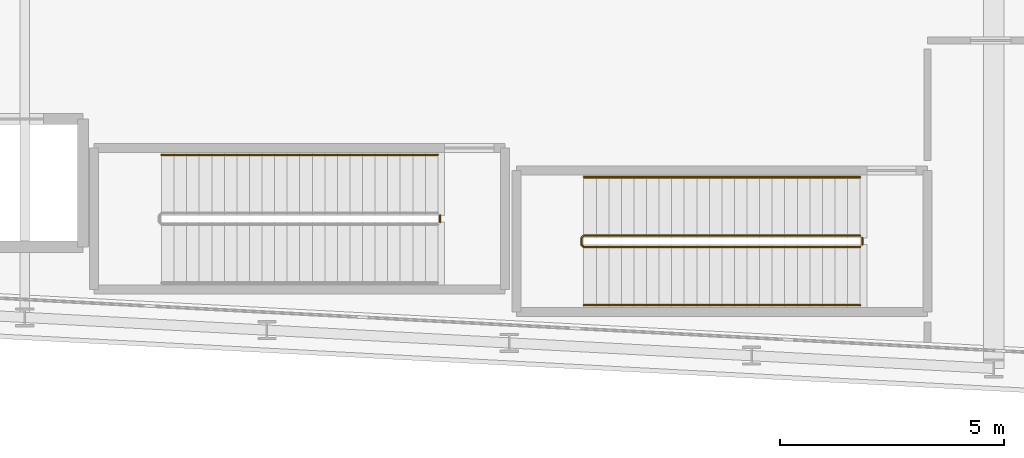
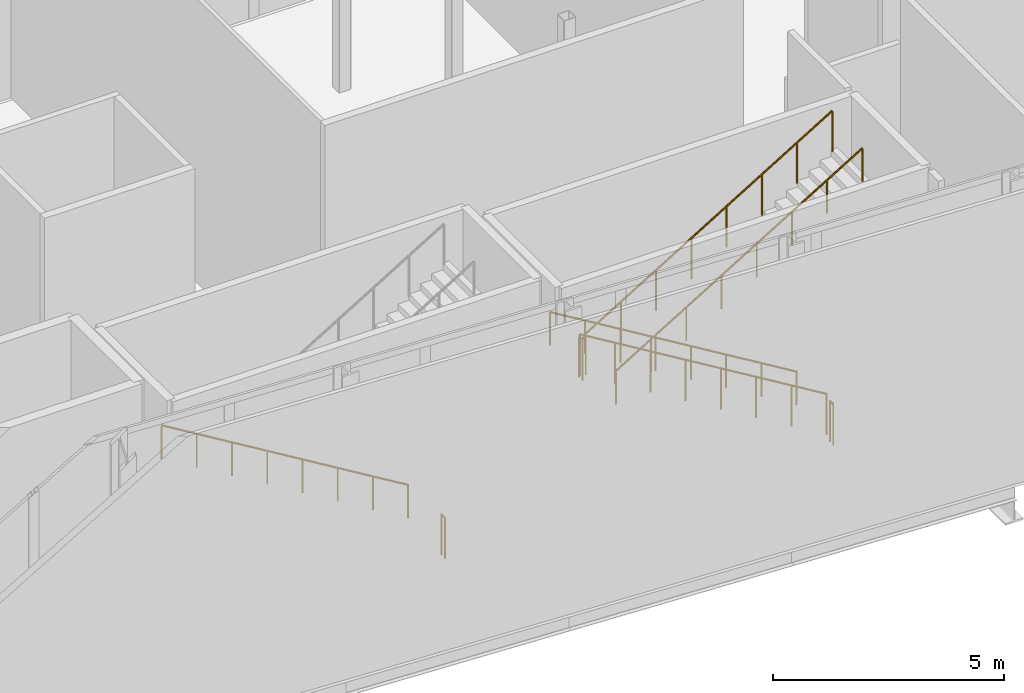
# One storey, part 34 of 37: 6 railings.
"""IFC4 building model written with IfcOpenShell, lengths in metres."""

from ifc_helpers import new_model, si_unit, direction, frame, origin, origin_2d, place, context, subcontext, project, spatial, circle, extrude, material, type_object, element, save


model = new_model("IFC4")

# Units and contexts
model_context = context("Model", 3, precision=1e-05, world=origin(), true_north=direction((0.0, 1.0)))
body_context = subcontext(model_context, "Body", "Model", "MODEL_VIEW")
ifc_project = project(units=[si_unit("LENGTHUNIT", "METRE"), si_unit("AREAUNIT", "SQUARE_METRE"), si_unit("VOLUMEUNIT", "CUBIC_METRE"), si_unit("PLANEANGLEUNIT", "RADIAN"), si_unit("MASSUNIT", "GRAM", prefix="KILO")], contexts=[model_context])

# Site, building, storey
site_placement = place(None, origin())
site = spatial("IfcSite", under=ifc_project, at=site_placement, CompositionType="ELEMENT")
building_placement = place(site_placement, origin())
building = spatial("IfcBuilding", under=site, at=building_placement, Name="Kheshtan School and Residences Tower", CompositionType="ELEMENT")
storey_placement = place(building_placement, frame((0.0, 0.0, 144.800048828125)))
storey = spatial("IfcBuildingStorey", under=building, at=storey_placement, Name="L34", CompositionType="ELEMENT", Elevation=144.800048828125)

# Railings
ifc_material_1 = material(Name="Stainless steel balustrade", Category="steel")
railing_type_1 = type_object("IfcRailingType", Name="Stair guard 1100", PredefinedType="GUARDRAIL", material=ifc_material_1)
railing_1_placement = place(storey_placement, frame((87.820068359375, 23.949951171875, 0.16943359375)))
element("IfcRailing", 1, at=railing_1_placement, inside=storey, type_object=railing_type_1, Name="L34 ST4 stair guard 1", PredefinedType="GUARDRAIL", context=body_context, shape_type="SweptSolid", body=[
    extrude(circle(Radius=0.02392578125, at=origin_2d()), frame((0.0, 0.0, 1.076171875), z_axis=(-0.855379917629, 0.0, 0.518001154937), x_axis=(0.0, -1.0, 0.0)), (0.0, 0.0, 1.0), 7.20166015625),
    extrude(circle(Radius=0.02392578125, at=origin_2d()), frame((-6.16015625, 0.0, 4.806640625), z_axis=(-0.705375805398, -0.708833529934, 0.0), x_axis=(0.708833529934, -0.705375805398, 0.0)), (0.0, 0.0, 1.0), 0.070556640625),
    extrude(circle(Radius=0.02392578125, at=origin_2d()), frame((-6.2099609375, -0.050048828125, 4.806640625), z_axis=(0.0, -1.0, 0.0), x_axis=(1.0, 0.0, 0.0)), (0.0, 0.0, 1.0), 0.14990234375),
    extrude(circle(Radius=0.02392578125, at=origin_2d()), frame((-6.2099609375, -0.199951171875, 4.806640625), z_axis=(0.270998314386, -0.272326737496, 0.923254061266), x_axis=(0.708833529934, 0.705375805398, 0.0)), (0.0, 0.0, 1.0), 0.183837890625),
    extrude(circle(Radius=0.02392578125, at=origin_2d()), frame((-6.16015625, -0.25, 4.97607421875), z_axis=(0.855379917629, 0.0, 0.518001154937), x_axis=(0.0, 1.0, 0.0)), (0.0, 0.0, 1.0), 7.20166015625),
    extrude(circle(Radius=0.02099609375, at=origin_2d()), origin(), (0.0, 0.0, 1.0), 1.052001953125),
    extrude(circle(Radius=0.02099609375, at=origin_2d()), frame((-0.880126953125, 0.0, 0.532958984375)), (0.0, 0.0, 1.0), 1.052001953125),
    extrude(circle(Radius=0.02099609375, at=origin_2d()), frame((-1.760009765625, 0.0, 1.06591796875)), (0.0, 0.0, 1.0), 1.052001953125),
    extrude(circle(Radius=0.02099609375, at=origin_2d()), frame((-2.64013671875, 0.0, 1.598876953125)), (0.0, 0.0, 1.0), 1.052001953125),
    extrude(circle(Radius=0.02099609375, at=origin_2d()), frame((-3.52001953125, 0.0, 2.131591796875)), (0.0, 0.0, 1.0), 1.052001953125),
    extrude(circle(Radius=0.02099609375, at=origin_2d()), frame((-4.400146484375, 0.0, 2.66455078125)), (0.0, 0.0, 1.0), 1.052001953125),
    extrude(circle(Radius=0.02099609375, at=origin_2d()), frame((-5.280029296875, 0.0, 3.197509765625)), (0.0, 0.0, 1.0), 1.052001953125),
    extrude(circle(Radius=0.02099609375, at=origin_2d()), frame((-6.16015625, 0.0, 3.73046875)), (0.0, 0.0, 1.0), 1.052001953125),
    extrude(circle(Radius=0.02099609375, at=origin_2d()), frame((-6.2099609375, -0.050048828125, 3.73046875)), (0.0, 0.0, 1.0), 1.052001953125),
    extrude(circle(Radius=0.02099609375, at=origin_2d()), frame((-6.2099609375, -0.199951171875, 3.73046875)), (0.0, 0.0, 1.0), 1.052001953125),
    extrude(circle(Radius=0.02099609375, at=origin_2d()), frame((-6.16015625, -0.25, 3.900146484375)), (0.0, 0.0, 1.0), 1.052001953125),
    extrude(circle(Radius=0.02099609375, at=origin_2d()), frame((-5.280029296875, -0.25, 4.43310546875)), (0.0, 0.0, 1.0), 1.052001953125),
    extrude(circle(Radius=0.02099609375, at=origin_2d()), frame((-4.400146484375, -0.25, 4.966064453125)), (0.0, 0.0, 1.0), 1.052001953125),
    extrude(circle(Radius=0.02099609375, at=origin_2d()), frame((-3.52001953125, -0.25, 5.4990234375)), (0.0, 0.0, 1.0), 1.052001953125),
    extrude(circle(Radius=0.02099609375, at=origin_2d()), frame((-2.64013671875, -0.25, 6.03173828125)), (0.0, 0.0, 1.0), 1.052001953125),
    extrude(circle(Radius=0.02099609375, at=origin_2d()), frame((-1.760009765625, -0.25, 6.564697265625)), (0.0, 0.0, 1.0), 1.052001953125),
    extrude(circle(Radius=0.02099609375, at=origin_2d()), frame((-0.880126953125, -0.25, 7.09765625)), (0.0, 0.0, 1.0), 1.052001953125),
    extrude(circle(Radius=0.02099609375, at=origin_2d()), frame((0.0, -0.25, 7.630615234375)), (0.0, 0.0, 1.0), 1.052001953125),
])
for number, where, name in (
    (2, (87.8701171875, 23.89990234375, 0.0), "L34 ST4 stair guard 2"),
    (3, (78.4599609375, 24.39990234375, 0.0), "L34 ST5 stair guard 2"),
):
    element("IfcRailing", number, at=place(storey_placement, frame(where)), inside=storey, type_object=railing_type_1, Name=name, PredefinedType="GUARDRAIL", context=body_context, shape_type="SweptSolid", body=[
        extrude(circle(Radius=0.02392578125, at=origin_2d()), frame((0.0, 0.0, 1.076171875), z_axis=(0.0, -1.0, 0.0), x_axis=(1.0, 0.0, 0.0)), (0.0, 0.0, 1.0), 0.14990234375),
        extrude(circle(Radius=0.02099609375, at=origin_2d()), origin(), (0.0, 0.0, 1.0), 1.052001953125),
        extrude(circle(Radius=0.02099609375, at=origin_2d()), frame((0.0, -0.14990234375, 0.0)), (0.0, 0.0, 1.0), 1.052001953125),
    ])
ifc_material_2 = material(Name="Stainless steel handrail", Category="steel")
railing_type_2 = type_object("IfcRailingType", Name="Stair handrail 900", PredefinedType="HANDRAIL", material=ifc_material_2)
railing_2_placement = place(storey_placement, frame((87.820068359375, 25.25, 0.16943359375)))
element("IfcRailing", 4, at=railing_2_placement, inside=storey, type_object=railing_type_2, Name="L34 ST4 stair handrail 1", PredefinedType="HANDRAIL", context=body_context, shape_type="SweptSolid", body=[
    extrude(circle(Radius=0.02392578125, at=origin_2d()), frame((0.0, 0.0, 0.8759765625), z_axis=(-0.855379917629, 0.0, 0.518001154937), x_axis=(0.0, -1.0, 0.0)), (0.0, 0.0, 1.0), 7.20166015625),
    extrude(circle(Radius=0.02099609375, at=origin_2d()), origin(), (0.0, 0.0, 1.0), 0.851806640625),
    extrude(circle(Radius=0.02099609375, at=origin_2d()), frame((-0.880126953125, 0.0, 0.532958984375)), (0.0, 0.0, 1.0), 0.851806640625),
    extrude(circle(Radius=0.02099609375, at=origin_2d()), frame((-1.760009765625, 0.0, 1.06591796875)), (0.0, 0.0, 1.0), 0.851806640625),
    extrude(circle(Radius=0.02099609375, at=origin_2d()), frame((-2.64013671875, 0.0, 1.598876953125)), (0.0, 0.0, 1.0), 0.851806640625),
    extrude(circle(Radius=0.02099609375, at=origin_2d()), frame((-3.52001953125, 0.0, 2.131591796875)), (0.0, 0.0, 1.0), 0.851806640625),
    extrude(circle(Radius=0.02099609375, at=origin_2d()), frame((-4.400146484375, 0.0, 2.66455078125)), (0.0, 0.0, 1.0), 0.851806640625),
    extrude(circle(Radius=0.02099609375, at=origin_2d()), frame((-5.280029296875, 0.0, 3.197509765625)), (0.0, 0.0, 1.0), 0.851806640625),
    extrude(circle(Radius=0.02099609375, at=origin_2d()), frame((-6.16015625, 0.0, 3.73046875)), (0.0, 0.0, 1.0), 0.851806640625),
])
railing_3_placement = place(storey_placement, frame((81.659912109375, 22.39990234375, 4.069580078125)))
element("IfcRailing", 5, at=railing_3_placement, inside=storey, type_object=railing_type_2, Name="L34 ST4 stair handrail 2", PredefinedType="HANDRAIL", context=body_context, shape_type="SweptSolid", body=[
    extrude(circle(Radius=0.02392578125, at=origin_2d()), frame((0.0, 0.0, 0.8759765625), z_axis=(0.855379917629, 0.0, 0.518001154937), x_axis=(0.0, 1.0, 0.0)), (0.0, 0.0, 1.0), 7.20166015625),
    extrude(circle(Radius=0.02099609375, at=origin_2d()), origin(), (0.0, 0.0, 1.0), 0.851806640625),
    extrude(circle(Radius=0.02099609375, at=origin_2d()), frame((0.880126953125, 0.0, 0.532958984375)), (0.0, 0.0, 1.0), 0.851806640625),
    extrude(circle(Radius=0.02099609375, at=origin_2d()), frame((1.760009765625, 0.0, 1.06591796875)), (0.0, 0.0, 1.0), 0.851806640625),
    extrude(circle(Radius=0.02099609375, at=origin_2d()), frame((2.64013671875, 0.0, 1.598876953125)), (0.0, 0.0, 1.0), 0.851806640625),
    extrude(circle(Radius=0.02099609375, at=origin_2d()), frame((3.52001953125, 0.0, 2.131591796875)), (0.0, 0.0, 1.0), 0.851806640625),
    extrude(circle(Radius=0.02099609375, at=origin_2d()), frame((4.400146484375, 0.0, 2.66455078125)), (0.0, 0.0, 1.0), 0.851806640625),
    extrude(circle(Radius=0.02099609375, at=origin_2d()), frame((5.280029296875, 0.0, 3.197509765625)), (0.0, 0.0, 1.0), 0.851806640625),
    extrude(circle(Radius=0.02099609375, at=origin_2d()), frame((6.16015625, 0.0, 3.73046875)), (0.0, 0.0, 1.0), 0.851806640625),
])
railing_4_placement = place(storey_placement, frame((78.409912109375, 25.75, 0.16943359375)))
element("IfcRailing", 6, at=railing_4_placement, inside=storey, type_object=railing_type_2, Name="L34 ST5 stair handrail 1", PredefinedType="HANDRAIL", context=body_context, shape_type="SweptSolid", body=[
    extrude(circle(Radius=0.02392578125, at=origin_2d()), frame((0.0, 0.0, 0.8759765625), z_axis=(-0.855370820849, 0.0, 0.518016176234), x_axis=(0.0, -1.0, 0.0)), (0.0, 0.0, 1.0), 7.201416015625),
    extrude(circle(Radius=0.02099609375, at=origin_2d()), origin(), (0.0, 0.0, 1.0), 0.851806640625),
    extrude(circle(Radius=0.02099609375, at=origin_2d()), frame((-0.8798828125, 0.0, 0.532958984375)), (0.0, 0.0, 1.0), 0.851806640625),
    extrude(circle(Radius=0.02099609375, at=origin_2d()), frame((-1.760009765625, 0.0, 1.06591796875)), (0.0, 0.0, 1.0), 0.851806640625),
    extrude(circle(Radius=0.02099609375, at=origin_2d()), frame((-2.639892578125, 0.0, 1.598876953125)), (0.0, 0.0, 1.0), 0.851806640625),
    extrude(circle(Radius=0.02099609375, at=origin_2d()), frame((-3.52001953125, 0.0, 2.131591796875)), (0.0, 0.0, 1.0), 0.851806640625),
    extrude(circle(Radius=0.02099609375, at=origin_2d()), frame((-4.39990234375, 0.0, 2.66455078125)), (0.0, 0.0, 1.0), 0.851806640625),
    extrude(circle(Radius=0.02099609375, at=origin_2d()), frame((-5.280029296875, 0.0, 3.197509765625)), (0.0, 0.0, 1.0), 0.851806640625),
    extrude(circle(Radius=0.02099609375, at=origin_2d()), frame((-6.159912109375, 0.0, 3.73046875)), (0.0, 0.0, 1.0), 0.851806640625),
])

save(model, "model.ifc")
